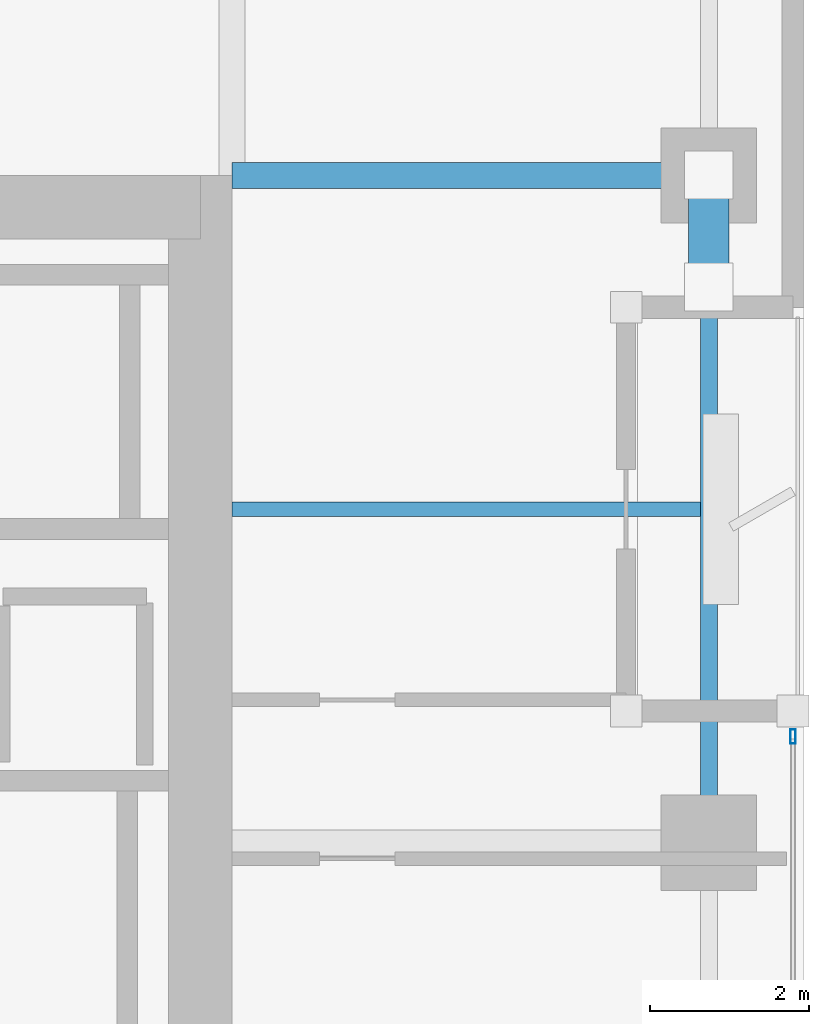
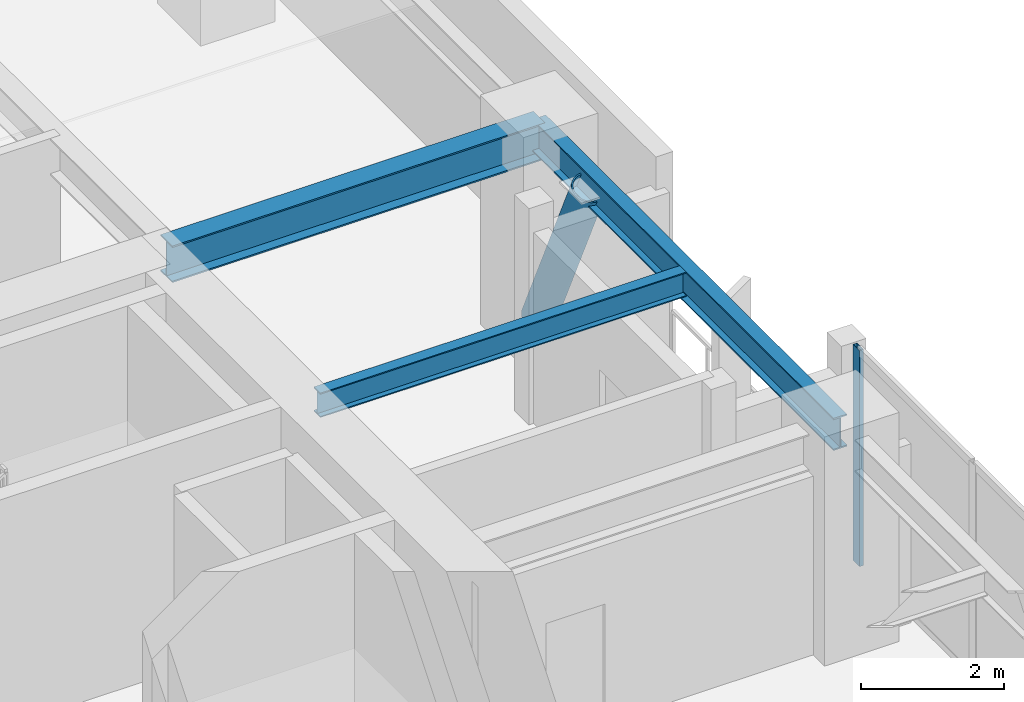
# One storey, part 11 of 30: 3 beams, 2 members, 1 element without a shape of its own.
"""IFC4 building model written with IfcOpenShell, lengths in metres."""

from ifc_helpers import new_model, si_unit, direction, frame, origin, origin_2d, place, context, subcontext, project, spatial, hollow_rectangle, hollow_circle, i_section, extrude, material, layer, layer_set, material_profile, profile_set, type_object, element, aggregate, save


model = new_model("IFC4")

# Units and contexts
model_context = context("Model", 3, precision=1e-05, world=origin(), true_north=direction((0.0, 1.0)))
body_context = subcontext(model_context, "Body", "Model", "MODEL_VIEW")
ifc_project = project(units=[si_unit("LENGTHUNIT", "METRE"), si_unit("AREAUNIT", "SQUARE_METRE"), si_unit("VOLUMEUNIT", "CUBIC_METRE"), si_unit("PLANEANGLEUNIT", "RADIAN"), si_unit("MASSUNIT", "GRAM", prefix="KILO")], contexts=[model_context])

# Site, building, storey
site_placement = place(None, origin())
site = spatial("IfcSite", under=ifc_project, at=site_placement, CompositionType="ELEMENT")
building_placement = place(site_placement, origin())
building = spatial("IfcBuilding", under=site, at=building_placement, Name="Kiyonajd Concourse Tower", CompositionType="ELEMENT")
storey_placement = place(building_placement, frame((0.0, 0.0, 177.89990234375)))
storey = spatial("IfcBuildingStorey", under=building, at=storey_placement, Name="L45", CompositionType="ELEMENT", Elevation=177.89990234375)

# Beams
ifc_material_1 = material(Name="Steel ASTM A992 Grade 50", Category="steel")
ifc_material_profile_1 = material_profile(ifc_material_1, i_section(OverallWidth=0.180908203125, OverallDepth=0.4169921875, WebThickness=0.010986328125, FlangeThickness=0.018310546875, at=origin_2d()), Name="W410X85")
ifc_profile_set_1 = profile_set([ifc_material_profile_1], Name="Steel ASTM A992 Grade 50")
beam_type_1 = type_object("IfcBeamType", Name="BM-JST-410", PredefinedType="JOIST", material=ifc_profile_set_1)
beam_1_placement = place(storey_placement, frame((63.60009765625, 40.199951171875, 3.4716796875), z_axis=(1.0, 0.0, 0.0), x_axis=(0.0, 1.0, 0.0)))
element("IfcBeam", 1, at=beam_1_placement, inside=storey, type_object=beam_type_1, Name="L45 East Secondary Floor Joist", PredefinedType="JOIST", context=body_context, shape_type="SweptSolid", body=[
    extrude(i_section(OverallWidth=0.180908203125, OverallDepth=0.4169921875, WebThickness=0.010986328125, FlangeThickness=0.018310546875, at=origin_2d()), origin(), (0.0, 0.0, 1.0), 5.892822265625),
])
ifc_material_profile_2 = material_profile(ifc_material_1, i_section(OverallWidth=0.214111328125, OverallDepth=0.549072265625, WebThickness=0.0146484375, FlangeThickness=0.023681640625, at=origin_2d()), Name="W530X138")
ifc_profile_set_2 = profile_set([ifc_material_profile_2], Name="Steel ASTM A992 Grade 50")
beam_type_2 = type_object("IfcBeamType", Name="BM-SPAN-530A", PredefinedType="SPANDREL", material=ifc_profile_set_2)
beam_2_placement = place(storey_placement, frame((69.60009765625, 36.0, 3.405517578125), z_axis=(0.0, 1.0, 0.0), x_axis=(-1.0, 0.0, 0.0)))
element("IfcBeam", 2, at=beam_2_placement, inside=storey, type_object=beam_type_2, Name="L45 Perimeter Bundled Tube Spandrel", PredefinedType="SPANDREL", context=body_context, shape_type="SweptSolid", body=[
    extrude(i_section(OverallWidth=0.214111328125, OverallDepth=0.549072265625, WebThickness=0.0146484375, FlangeThickness=0.023681640625, at=origin_2d()), origin(), (0.0, 0.0, 1.0), 8.39990234375),
])
ifc_material_profile_3 = material_profile(ifc_material_1, i_section(OverallWidth=0.326904296875, OverallDepth=0.6220703125, WebThickness=0.015380859375, FlangeThickness=0.0244140625, at=origin_2d()), Name="W610X195")
ifc_profile_set_3 = profile_set([ifc_material_profile_3], Name="Steel ASTM A992 Grade 50")
beam_type_3 = type_object("IfcBeamType", Name="BM-TWR-610A", PredefinedType="BEAM", material=ifc_profile_set_3)
beam_3_placement = place(storey_placement, frame((63.60009765625, 44.39990234375, 3.369140625), z_axis=(1.0, 0.0, 0.0), x_axis=(0.0, 1.0, 0.0)))
element("IfcBeam", 3, at=beam_3_placement, inside=storey, type_object=beam_type_3, Name="L45 East Lease Girder", PredefinedType="BEAM", context=body_context, shape_type="SweptSolid", body=[
    extrude(i_section(OverallWidth=0.326904296875, OverallDepth=0.6220703125, WebThickness=0.015380859375, FlangeThickness=0.0244140625, at=origin_2d()), origin(), (0.0, 0.0, 1.0), 6.0),
])

# Curtain wall, member
ifc_material_2 = material(Name="Thermally Broken Anodised Aluminium", Category="aluminium")
ifc_layer = layer(ifc_material_2, 0.179931640625)
ifc_layer_set = layer_set([ifc_layer], Name="Thermally Broken Anodised Aluminium")
curtain_wall_type = type_object("IfcCurtainWallType", Name="CW-SYS-03", PredefinedType="NOTDEFINED", material=ifc_layer_set)
curtain_wall_placement = place(storey_placement, origin())
curtain_wall = element("IfcCurtainWall", 4, at=curtain_wall_placement, inside=storey, type_object=curtain_wall_type, Name="L45 Unitised Curtain Wall CW3", PredefinedType="NOTDEFINED")
ifc_material_profile_4 = material_profile(ifc_material_2, hollow_rectangle(XDim=0.06494140625, YDim=0.179931640625, WallThickness=0.00390625, at=origin_2d()), Name="MULL-65x180")
ifc_profile_set_4 = profile_set([ifc_material_profile_4], Name="Thermally Broken Anodised Aluminium")
member_type_1 = type_object("IfcMemberType", Name="MB-CW-MULL1", PredefinedType="MULLION", material=ifc_profile_set_4)
member_1_placement = place(storey_placement, frame((70.659912109375, 37.33740234375, 0.0), z_axis=(0.0, 0.0, 1.0), x_axis=(1.0, 0.0, 0.0)))
member_1 = element("IfcMember", 5, at=member_1_placement, type_object=member_type_1, Name="CW3 mullion 1", PredefinedType="MULLION", context=body_context, shape_type="SweptSolid", body=[
    extrude(hollow_rectangle(XDim=0.06494140625, YDim=0.179931640625, WallThickness=0.00390625, at=origin_2d()), origin(), (0.0, 0.0, 1.0), 3.68017578125),
])
aggregate(curtain_wall, [member_1])

# Member
ifc_material_3 = material(Name="Steel ASTM A500 Grade C", Category="steel")
ifc_material_profile_5 = material_profile(ifc_material_3, hollow_circle(Radius=0.25390625, WallThickness=0.02197265625, at=origin_2d()), Name="CHS-508x22")
ifc_profile_set_5 = profile_set([ifc_material_profile_5], Name="Steel ASTM A500 Grade C")
member_type_2 = type_object("IfcMemberType", Name="MB-PB-MID", PredefinedType="BRACE", material=ifc_profile_set_5)
member_2_placement = place(storey_placement, frame((69.60009765625, 44.39990234375, 0.300048828125), z_axis=(0.0, -0.419410666774, 0.907796614114), x_axis=(1.0, 0.0, 0.0)))
element("IfcMember", 6, at=member_2_placement, inside=storey, type_object=member_type_2, Name="L45 Upper Zone Hollow Tube Brace PBE", PredefinedType="BRACE", context=body_context, shape_type="SweptSolid", body=[
    extrude(hollow_circle(Radius=0.25390625, WallThickness=0.02197265625, at=origin_2d()), origin(), (0.0, 0.0, 1.0), 3.337890625),
])

save(model, "model.ifc")
